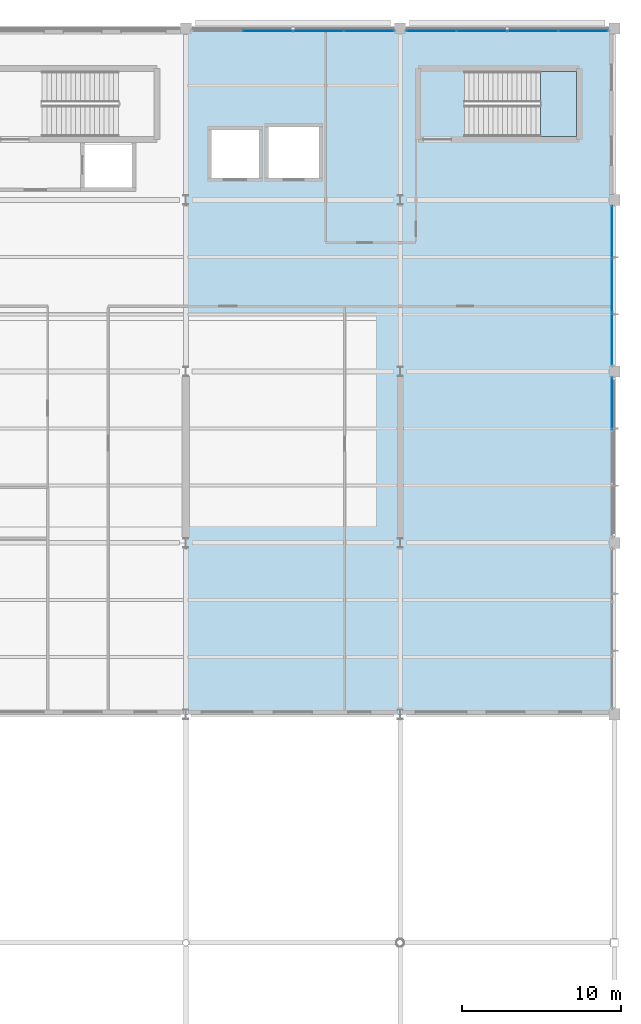
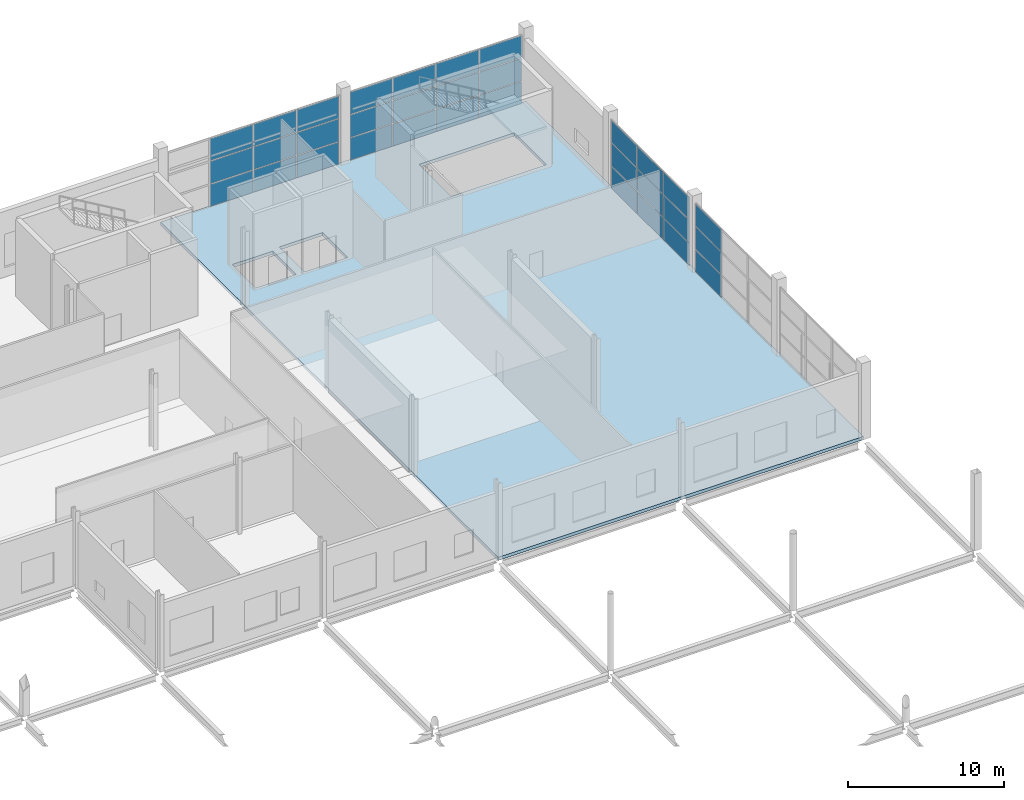
# One storey, part 158 of 191: 33 plates, 2 slabs, 5 elements without a shape of their own.
"""IFC4 building model written with IfcOpenShell, lengths in metres."""

from ifc_helpers import new_model, si_unit, direction, frame, origin, origin_2d, place, context, subcontext, project, spatial, polyline, rectangle, outline, extrude, material, layer, layer_set, type_object, element, aggregate, save


model = new_model("IFC4")

# Units and contexts
model_context = context("Model", 3, precision=1e-05, world=origin(), true_north=direction((0.0, 1.0)))
body_context = subcontext(model_context, "Body", "Model", "MODEL_VIEW")
ifc_project = project(units=[si_unit("LENGTHUNIT", "METRE"), si_unit("AREAUNIT", "SQUARE_METRE"), si_unit("VOLUMEUNIT", "CUBIC_METRE"), si_unit("PLANEANGLEUNIT", "RADIAN"), si_unit("MASSUNIT", "GRAM", prefix="KILO")], contexts=[model_context])

# Site, building, storey
site_placement = place(None, origin())
site = spatial("IfcSite", under=ifc_project, at=site_placement, CompositionType="ELEMENT")
building_placement = place(site_placement, origin())
building = spatial("IfcBuilding", under=site, at=building_placement, Name="Tamarisk Ironworks Central Station", CompositionType="ELEMENT")
storey_placement = place(building_placement, frame((0.0, 0.0, 6.60009765625)))
storey = spatial("IfcBuildingStorey", under=building, at=storey_placement, Name="L01", CompositionType="ELEMENT", Elevation=6.60009765625)

# Curtain wall, plates
ifc_material_1 = material(Name="Anodized aluminium alloy 6063-T6", Category="aluminium")
ifc_layer_1 = layer(ifc_material_1, 0.179931640625)
ifc_layer_set_1 = layer_set([ifc_layer_1], Name="Anodized aluminium alloy 6063-T6")
curtain_wall_type = type_object("IfcCurtainWallType", Name="CW-16", PredefinedType="USERDEFINED", material=ifc_layer_set_1)
curtain_wall_1_placement = place(storey_placement, origin())
curtain_wall_1 = element("IfcCurtainWall", 1, at=curtain_wall_1_placement, inside=storey, type_object=curtain_wall_type, Name="Operations L01 north facade curtain wall 153", ObjectType="GLAZED CURTAIN WALL", PredefinedType="USERDEFINED")
ifc_layer_2 = layer(ifc_material_1, 0.02392578125)
ifc_layer_set_2 = layer_set([ifc_layer_2], Name="Anodized aluminium alloy 6063-T6")
plate_type = type_object("IfcPlateType", Name="PL-CWP24", PredefinedType="CURTAIN_PANEL", material=ifc_layer_set_2)
plate_1_placement = place(storey_placement, frame((158.1494140625, 122.25, 0.058837890625), z_axis=(0.0, 0.0, 1.0), x_axis=(1.0, 0.0, 0.0)))
plate_1 = element("IfcPlate", 2, at=plate_1_placement, type_object=plate_type, Name="CW16 panel 2.1", PredefinedType="CURTAIN_PANEL", context=body_context, shape_type="SweptSolid", body=[
    extrude(rectangle(XDim=3.14794921875, YDim=0.02392578125, at=origin_2d()), origin(), (0.0, 0.0, 1.0), 1.72119140625),
])
plate_2_placement = place(storey_placement, frame((158.1494140625, 122.25, 1.8330078125), z_axis=(0.0, 0.0, 1.0), x_axis=(1.0, 0.0, 0.0)))
plate_2 = element("IfcPlate", 3, at=plate_2_placement, type_object=plate_type, Name="CW16 panel 2.2", PredefinedType="CURTAIN_PANEL", context=body_context, shape_type="SweptSolid", body=[
    extrude(rectangle(XDim=3.14794921875, YDim=0.02392578125, at=origin_2d()), origin(), (0.0, 0.0, 1.0), 1.753662109375),
])
plate_3_placement = place(storey_placement, frame((158.1494140625, 122.25, 3.6396484375), z_axis=(0.0, 0.0, 1.0), x_axis=(1.0, 0.0, 0.0)))
plate_3 = element("IfcPlate", 4, at=plate_3_placement, type_object=plate_type, Name="CW16 panel 2.3", PredefinedType="CURTAIN_PANEL", context=body_context, shape_type="SweptSolid", body=[
    extrude(rectangle(XDim=3.14794921875, YDim=0.02392578125, at=origin_2d()), origin(), (0.0, 0.0, 1.0), 1.72119140625),
])
plate_4_placement = place(storey_placement, frame((161.3505859375, 122.25, 0.058837890625), z_axis=(0.0, 0.0, 1.0), x_axis=(1.0, 0.0, 0.0)))
plate_4 = element("IfcPlate", 5, at=plate_4_placement, type_object=plate_type, Name="CW16 panel 3.1", PredefinedType="CURTAIN_PANEL", context=body_context, shape_type="SweptSolid", body=[
    extrude(rectangle(XDim=3.14794921875, YDim=0.02392578125, at=origin_2d()), origin(), (0.0, 0.0, 1.0), 1.72119140625),
])
plate_5_placement = place(storey_placement, frame((161.3505859375, 122.25, 1.8330078125), z_axis=(0.0, 0.0, 1.0), x_axis=(1.0, 0.0, 0.0)))
plate_5 = element("IfcPlate", 6, at=plate_5_placement, type_object=plate_type, Name="CW16 panel 3.2", PredefinedType="CURTAIN_PANEL", context=body_context, shape_type="SweptSolid", body=[
    extrude(rectangle(XDim=3.14794921875, YDim=0.02392578125, at=origin_2d()), origin(), (0.0, 0.0, 1.0), 1.753662109375),
])
plate_6_placement = place(storey_placement, frame((161.3505859375, 122.25, 3.6396484375), z_axis=(0.0, 0.0, 1.0), x_axis=(1.0, 0.0, 0.0)))
plate_6 = element("IfcPlate", 7, at=plate_6_placement, type_object=plate_type, Name="CW16 panel 3.3", PredefinedType="CURTAIN_PANEL", context=body_context, shape_type="SweptSolid", body=[
    extrude(rectangle(XDim=3.14794921875, YDim=0.02392578125, at=origin_2d()), origin(), (0.0, 0.0, 1.0), 1.72119140625),
])
plate_7_placement = place(storey_placement, frame((164.53515625, 122.25, 0.058837890625), z_axis=(0.0, 0.0, 1.0), x_axis=(1.0, 0.0, 0.0)))
plate_7 = element("IfcPlate", 8, at=plate_7_placement, type_object=plate_type, Name="CW16 panel 4.1", PredefinedType="CURTAIN_PANEL", context=body_context, shape_type="SweptSolid", body=[
    extrude(rectangle(XDim=3.115478515625, YDim=0.02392578125, at=origin_2d()), origin(), (0.0, 0.0, 1.0), 1.72119140625),
])
plate_8_placement = place(storey_placement, frame((164.53515625, 122.25, 1.8330078125), z_axis=(0.0, 0.0, 1.0), x_axis=(1.0, 0.0, 0.0)))
plate_8 = element("IfcPlate", 9, at=plate_8_placement, type_object=plate_type, Name="CW16 panel 4.2", PredefinedType="CURTAIN_PANEL", context=body_context, shape_type="SweptSolid", body=[
    extrude(rectangle(XDim=3.115478515625, YDim=0.02392578125, at=origin_2d()), origin(), (0.0, 0.0, 1.0), 1.753662109375),
])
plate_9_placement = place(storey_placement, frame((164.53515625, 122.25, 3.6396484375), z_axis=(0.0, 0.0, 1.0), x_axis=(1.0, 0.0, 0.0)))
plate_9 = element("IfcPlate", 10, at=plate_9_placement, type_object=plate_type, Name="CW16 panel 4.3", PredefinedType="CURTAIN_PANEL", context=body_context, shape_type="SweptSolid", body=[
    extrude(rectangle(XDim=3.115478515625, YDim=0.02392578125, at=origin_2d()), origin(), (0.0, 0.0, 1.0), 1.72119140625),
])
aggregate(curtain_wall_1, [plate_1, plate_2, plate_3, plate_4, plate_5, plate_6, plate_7, plate_8, plate_9])

curtain_wall_2_placement = place(storey_placement, origin())
curtain_wall_2 = element("IfcCurtainWall", 11, at=curtain_wall_2_placement, inside=storey, type_object=curtain_wall_type, Name="Operations L01 north facade curtain wall 166", ObjectType="GLAZED CURTAIN WALL", PredefinedType="USERDEFINED")
plate_10_placement = place(storey_placement, frame((168.46484375, 122.25, 0.058837890625), z_axis=(0.0, 0.0, 1.0), x_axis=(1.0, 0.0, 0.0)))
plate_10 = element("IfcPlate", 12, at=plate_10_placement, type_object=plate_type, Name="CW16 panel 1.1", PredefinedType="CURTAIN_PANEL", context=body_context, shape_type="SweptSolid", body=[
    extrude(rectangle(XDim=3.115478515625, YDim=0.02392578125, at=origin_2d()), origin(), (0.0, 0.0, 1.0), 1.72119140625),
])
plate_11_placement = place(storey_placement, frame((168.46484375, 122.25, 1.8330078125), z_axis=(0.0, 0.0, 1.0), x_axis=(1.0, 0.0, 0.0)))
plate_11 = element("IfcPlate", 13, at=plate_11_placement, type_object=plate_type, Name="CW16 panel 1.2", PredefinedType="CURTAIN_PANEL", context=body_context, shape_type="SweptSolid", body=[
    extrude(rectangle(XDim=3.115478515625, YDim=0.02392578125, at=origin_2d()), origin(), (0.0, 0.0, 1.0), 1.753662109375),
])
plate_12_placement = place(storey_placement, frame((168.46484375, 122.25, 3.6396484375), z_axis=(0.0, 0.0, 1.0), x_axis=(1.0, 0.0, 0.0)))
plate_12 = element("IfcPlate", 14, at=plate_12_placement, type_object=plate_type, Name="CW16 panel 1.3", PredefinedType="CURTAIN_PANEL", context=body_context, shape_type="SweptSolid", body=[
    extrude(rectangle(XDim=3.115478515625, YDim=0.02392578125, at=origin_2d()), origin(), (0.0, 0.0, 1.0), 1.72119140625),
])
plate_13_placement = place(storey_placement, frame((171.6494140625, 122.25, 0.058837890625), z_axis=(0.0, 0.0, 1.0), x_axis=(1.0, 0.0, 0.0)))
plate_13 = element("IfcPlate", 15, at=plate_13_placement, type_object=plate_type, Name="CW16 panel 2.1", PredefinedType="CURTAIN_PANEL", context=body_context, shape_type="SweptSolid", body=[
    extrude(rectangle(XDim=3.14794921875, YDim=0.02392578125, at=origin_2d()), origin(), (0.0, 0.0, 1.0), 1.72119140625),
])
plate_14_placement = place(storey_placement, frame((171.6494140625, 122.25, 1.8330078125), z_axis=(0.0, 0.0, 1.0), x_axis=(1.0, 0.0, 0.0)))
plate_14 = element("IfcPlate", 16, at=plate_14_placement, type_object=plate_type, Name="CW16 panel 2.2", PredefinedType="CURTAIN_PANEL", context=body_context, shape_type="SweptSolid", body=[
    extrude(rectangle(XDim=3.14794921875, YDim=0.02392578125, at=origin_2d()), origin(), (0.0, 0.0, 1.0), 1.753662109375),
])
plate_15_placement = place(storey_placement, frame((171.6494140625, 122.25, 3.6396484375), z_axis=(0.0, 0.0, 1.0), x_axis=(1.0, 0.0, 0.0)))
plate_15 = element("IfcPlate", 17, at=plate_15_placement, type_object=plate_type, Name="CW16 panel 2.3", PredefinedType="CURTAIN_PANEL", context=body_context, shape_type="SweptSolid", body=[
    extrude(rectangle(XDim=3.14794921875, YDim=0.02392578125, at=origin_2d()), origin(), (0.0, 0.0, 1.0), 1.72119140625),
])
plate_16_placement = place(storey_placement, frame((174.8505859375, 122.25, 0.058837890625), z_axis=(0.0, 0.0, 1.0), x_axis=(1.0, 0.0, 0.0)))
plate_16 = element("IfcPlate", 18, at=plate_16_placement, type_object=plate_type, Name="CW16 panel 3.1", PredefinedType="CURTAIN_PANEL", context=body_context, shape_type="SweptSolid", body=[
    extrude(rectangle(XDim=3.14794921875, YDim=0.02392578125, at=origin_2d()), origin(), (0.0, 0.0, 1.0), 1.72119140625),
])
plate_17_placement = place(storey_placement, frame((174.8505859375, 122.25, 1.8330078125), z_axis=(0.0, 0.0, 1.0), x_axis=(1.0, 0.0, 0.0)))
plate_17 = element("IfcPlate", 19, at=plate_17_placement, type_object=plate_type, Name="CW16 panel 3.2", PredefinedType="CURTAIN_PANEL", context=body_context, shape_type="SweptSolid", body=[
    extrude(rectangle(XDim=3.14794921875, YDim=0.02392578125, at=origin_2d()), origin(), (0.0, 0.0, 1.0), 1.753662109375),
])
plate_18_placement = place(storey_placement, frame((174.8505859375, 122.25, 3.6396484375), z_axis=(0.0, 0.0, 1.0), x_axis=(1.0, 0.0, 0.0)))
plate_18 = element("IfcPlate", 20, at=plate_18_placement, type_object=plate_type, Name="CW16 panel 3.3", PredefinedType="CURTAIN_PANEL", context=body_context, shape_type="SweptSolid", body=[
    extrude(rectangle(XDim=3.14794921875, YDim=0.02392578125, at=origin_2d()), origin(), (0.0, 0.0, 1.0), 1.72119140625),
])
plate_19_placement = place(storey_placement, frame((178.03515625, 122.25, 0.058837890625), z_axis=(0.0, 0.0, 1.0), x_axis=(1.0, 0.0, 0.0)))
plate_19 = element("IfcPlate", 21, at=plate_19_placement, type_object=plate_type, Name="CW16 panel 4.1", PredefinedType="CURTAIN_PANEL", context=body_context, shape_type="SweptSolid", body=[
    extrude(rectangle(XDim=3.115478515625, YDim=0.02392578125, at=origin_2d()), origin(), (0.0, 0.0, 1.0), 1.72119140625),
])
plate_20_placement = place(storey_placement, frame((178.03515625, 122.25, 1.8330078125), z_axis=(0.0, 0.0, 1.0), x_axis=(1.0, 0.0, 0.0)))
plate_20 = element("IfcPlate", 22, at=plate_20_placement, type_object=plate_type, Name="CW16 panel 4.2", PredefinedType="CURTAIN_PANEL", context=body_context, shape_type="SweptSolid", body=[
    extrude(rectangle(XDim=3.115478515625, YDim=0.02392578125, at=origin_2d()), origin(), (0.0, 0.0, 1.0), 1.753662109375),
])
plate_21_placement = place(storey_placement, frame((178.03515625, 122.25, 3.6396484375), z_axis=(0.0, 0.0, 1.0), x_axis=(1.0, 0.0, 0.0)))
plate_21 = element("IfcPlate", 23, at=plate_21_placement, type_object=plate_type, Name="CW16 panel 4.3", PredefinedType="CURTAIN_PANEL", context=body_context, shape_type="SweptSolid", body=[
    extrude(rectangle(XDim=3.115478515625, YDim=0.02392578125, at=origin_2d()), origin(), (0.0, 0.0, 1.0), 1.72119140625),
])
aggregate(curtain_wall_2, [plate_10, plate_11, plate_12, plate_13, plate_14, plate_15, plate_16, plate_17, plate_18, plate_19, plate_20, plate_21])

curtain_wall_3_placement = place(storey_placement, origin())
curtain_wall_3 = element("IfcCurtainWall", 24, at=curtain_wall_3_placement, inside=storey, type_object=curtain_wall_type, Name="Operations L01 east facade curtain wall 090", ObjectType="GLAZED CURTAIN WALL", PredefinedType="USERDEFINED")
plate_22_placement = place(storey_placement, frame((179.85009765625, 98.751708984375, 0.058837890625), z_axis=(0.0, 0.0, 1.0), x_axis=(0.0, 1.0, 0.0)))
plate_22 = element("IfcPlate", 25, at=plate_22_placement, type_object=plate_type, Name="CW16 panel 3.1", PredefinedType="CURTAIN_PANEL", context=body_context, shape_type="SweptSolid", body=[
    extrude(rectangle(XDim=3.282470703125, YDim=0.02392578125, at=origin_2d()), origin(), (0.0, 0.0, 1.0), 1.72119140625),
])
plate_23_placement = place(storey_placement, frame((179.85009765625, 98.751708984375, 1.8330078125), z_axis=(0.0, 0.0, 1.0), x_axis=(0.0, 1.0, 0.0)))
plate_23 = element("IfcPlate", 26, at=plate_23_placement, type_object=plate_type, Name="CW16 panel 3.2", PredefinedType="CURTAIN_PANEL", context=body_context, shape_type="SweptSolid", body=[
    extrude(rectangle(XDim=3.282470703125, YDim=0.02392578125, at=origin_2d()), origin(), (0.0, 0.0, 1.0), 1.753662109375),
])
plate_24_placement = place(storey_placement, frame((179.85009765625, 98.751708984375, 3.6396484375), z_axis=(0.0, 0.0, 1.0), x_axis=(0.0, 1.0, 0.0)))
plate_24 = element("IfcPlate", 27, at=plate_24_placement, type_object=plate_type, Name="CW16 panel 3.3", PredefinedType="CURTAIN_PANEL", context=body_context, shape_type="SweptSolid", body=[
    extrude(rectangle(XDim=3.282470703125, YDim=0.02392578125, at=origin_2d()), origin(), (0.0, 0.0, 1.0), 1.72119140625),
])
aggregate(curtain_wall_3, [plate_22, plate_23, plate_24])

curtain_wall_4_placement = place(storey_placement, origin())
curtain_wall_4 = element("IfcCurtainWall", 28, at=curtain_wall_4_placement, inside=storey, type_object=curtain_wall_type, Name="Operations L01 east facade curtain wall 100", ObjectType="GLAZED CURTAIN WALL", PredefinedType="USERDEFINED")
plate_25_placement = place(storey_placement, frame((179.85009765625, 102.84814453125, 0.058837890625), z_axis=(0.0, 0.0, 1.0), x_axis=(0.0, 1.0, 0.0)))
plate_25 = element("IfcPlate", 29, at=plate_25_placement, type_object=plate_type, Name="CW16 panel 1.1", PredefinedType="CURTAIN_PANEL", context=body_context, shape_type="SweptSolid", body=[
    extrude(rectangle(XDim=3.282470703125, YDim=0.02392578125, at=origin_2d()), origin(), (0.0, 0.0, 1.0), 1.72119140625),
])
plate_26_placement = place(storey_placement, frame((179.85009765625, 102.84814453125, 1.8330078125), z_axis=(0.0, 0.0, 1.0), x_axis=(0.0, 1.0, 0.0)))
plate_26 = element("IfcPlate", 30, at=plate_26_placement, type_object=plate_type, Name="CW16 panel 1.2", PredefinedType="CURTAIN_PANEL", context=body_context, shape_type="SweptSolid", body=[
    extrude(rectangle(XDim=3.282470703125, YDim=0.02392578125, at=origin_2d()), origin(), (0.0, 0.0, 1.0), 1.753662109375),
])
plate_27_placement = place(storey_placement, frame((179.85009765625, 102.84814453125, 3.6396484375), z_axis=(0.0, 0.0, 1.0), x_axis=(0.0, 1.0, 0.0)))
plate_27 = element("IfcPlate", 31, at=plate_27_placement, type_object=plate_type, Name="CW16 panel 1.3", PredefinedType="CURTAIN_PANEL", context=body_context, shape_type="SweptSolid", body=[
    extrude(rectangle(XDim=3.282470703125, YDim=0.02392578125, at=origin_2d()), origin(), (0.0, 0.0, 1.0), 1.72119140625),
])
plate_28_placement = place(storey_placement, frame((179.85009765625, 106.199951171875, 0.058837890625), z_axis=(0.0, 0.0, 1.0), x_axis=(0.0, 1.0, 0.0)))
plate_28 = element("IfcPlate", 32, at=plate_28_placement, type_object=plate_type, Name="CW16 panel 2.1", PredefinedType="CURTAIN_PANEL", context=body_context, shape_type="SweptSolid", body=[
    extrude(rectangle(XDim=3.31494140625, YDim=0.02392578125, at=origin_2d()), origin(), (0.0, 0.0, 1.0), 1.72119140625),
])
plate_29_placement = place(storey_placement, frame((179.85009765625, 106.199951171875, 1.8330078125), z_axis=(0.0, 0.0, 1.0), x_axis=(0.0, 1.0, 0.0)))
plate_29 = element("IfcPlate", 33, at=plate_29_placement, type_object=plate_type, Name="CW16 panel 2.2", PredefinedType="CURTAIN_PANEL", context=body_context, shape_type="SweptSolid", body=[
    extrude(rectangle(XDim=3.31494140625, YDim=0.02392578125, at=origin_2d()), origin(), (0.0, 0.0, 1.0), 1.753662109375),
])
plate_30_placement = place(storey_placement, frame((179.85009765625, 106.199951171875, 3.6396484375), z_axis=(0.0, 0.0, 1.0), x_axis=(0.0, 1.0, 0.0)))
plate_30 = element("IfcPlate", 34, at=plate_30_placement, type_object=plate_type, Name="CW16 panel 2.3", PredefinedType="CURTAIN_PANEL", context=body_context, shape_type="SweptSolid", body=[
    extrude(rectangle(XDim=3.31494140625, YDim=0.02392578125, at=origin_2d()), origin(), (0.0, 0.0, 1.0), 1.72119140625),
])
plate_31_placement = place(storey_placement, frame((179.85009765625, 109.5517578125, 0.058837890625), z_axis=(0.0, 0.0, 1.0), x_axis=(0.0, 1.0, 0.0)))
plate_31 = element("IfcPlate", 35, at=plate_31_placement, type_object=plate_type, Name="CW16 panel 3.1", PredefinedType="CURTAIN_PANEL", context=body_context, shape_type="SweptSolid", body=[
    extrude(rectangle(XDim=3.282470703125, YDim=0.02392578125, at=origin_2d()), origin(), (0.0, 0.0, 1.0), 1.72119140625),
])
plate_32_placement = place(storey_placement, frame((179.85009765625, 109.5517578125, 1.8330078125), z_axis=(0.0, 0.0, 1.0), x_axis=(0.0, 1.0, 0.0)))
plate_32 = element("IfcPlate", 36, at=plate_32_placement, type_object=plate_type, Name="CW16 panel 3.2", PredefinedType="CURTAIN_PANEL", context=body_context, shape_type="SweptSolid", body=[
    extrude(rectangle(XDim=3.282470703125, YDim=0.02392578125, at=origin_2d()), origin(), (0.0, 0.0, 1.0), 1.753662109375),
])
plate_33_placement = place(storey_placement, frame((179.85009765625, 109.5517578125, 3.6396484375), z_axis=(0.0, 0.0, 1.0), x_axis=(0.0, 1.0, 0.0)))
plate_33 = element("IfcPlate", 37, at=plate_33_placement, type_object=plate_type, Name="CW16 panel 3.3", PredefinedType="CURTAIN_PANEL", context=body_context, shape_type="SweptSolid", body=[
    extrude(rectangle(XDim=3.282470703125, YDim=0.02392578125, at=origin_2d()), origin(), (0.0, 0.0, 1.0), 1.72119140625),
])
aggregate(curtain_wall_4, [plate_25, plate_26, plate_27, plate_28, plate_29, plate_30, plate_31, plate_32, plate_33])

# Slab
ifc_material_2 = material(Name="Concrete C35/45", Category="concrete")
ifc_layer_3 = layer(ifc_material_2, 0.25)
ifc_layer_set_3 = layer_set([ifc_layer_3], Name="Concrete C35/45")
slab_type_1 = type_object("IfcSlabType", Name="SL-FL250", PredefinedType="FLOOR", material=ifc_layer_set_3)
slab_1_placement = place(storey_placement, frame((0.0, 0.0, -0.25)))
element("IfcSlab", 38, at=slab_1_placement, inside=storey, type_object=slab_type_1, Name="L01 Suspended Floor Slab V5-NE", PredefinedType="FLOOR", context=body_context, shape_type="SweptSolid", body=[
    extrude(outline(polyline([(153.0, 79.199951171875), (180.0, 79.199951171875), (180.0, 122.39990234375), (153.0, 122.39990234375), (153.0, 79.199951171875)]), holes=[polyline([(170.550048828125, 115.60009765625), (177.60009765625, 115.60009765625), (177.60009765625, 119.699951171875), (170.550048828125, 119.699951171875), (170.550048828125, 115.60009765625)]), polyline([(154.60009765625, 113.0), (157.60009765625, 113.0), (157.60009765625, 116.0), (154.60009765625, 116.0), (154.60009765625, 113.0)]), polyline([(158.199951171875, 113.0), (161.39990234375, 113.0), (161.39990234375, 116.199951171875), (158.199951171875, 116.199951171875), (158.199951171875, 113.0)])]), origin(), (0.0, 0.0, 1.0), 0.25),
])

# Stair, slab
stair_type = type_object("IfcStairType", Name="ST-CORE-A", PredefinedType="HALF_TURN_STAIR", material=ifc_material_2)
stair_placement = place(storey_placement, origin())
stair = element("IfcStair", 39, at=stair_placement, inside=storey, type_object=stair_type, Name="L01 East Operations Exit Stair Core 2", PredefinedType="HALF_TURN_STAIR")
ifc_layer_4 = layer(ifc_material_2, 0.215087890625)
ifc_layer_set_4 = layer_set([ifc_layer_4], Name="Concrete C35/45")
slab_type_2 = type_object("IfcSlabType", Name="SL-LD220", PredefinedType="LANDING", material=ifc_layer_set_4)
slab_2_placement = place(storey_placement, frame((0.0, 0.0, 2.7998046875)))
slab_2 = element("IfcSlab", 40, at=slab_2_placement, type_object=slab_type_2, Name="ST-C2 landing 1", PredefinedType="LANDING", context=body_context, shape_type="SweptSolid", body=[
    extrude(outline(polyline([(175.35009765625, 115.60009765625), (177.60009765625, 115.60009765625), (177.60009765625, 119.699951171875), (175.35009765625, 119.699951171875), (175.35009765625, 115.60009765625)])), origin(), (0.0, 0.0, 1.0), 0.2001953125),
])
aggregate(stair, [slab_2])

save(model, "model.ifc")
